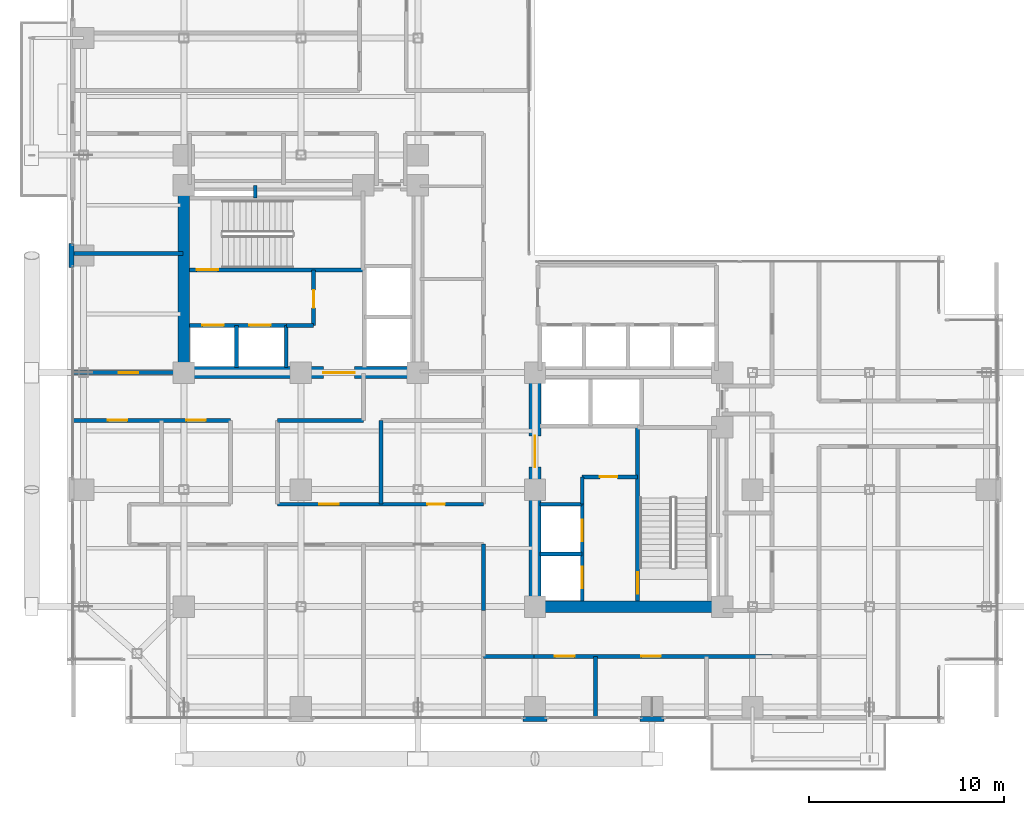
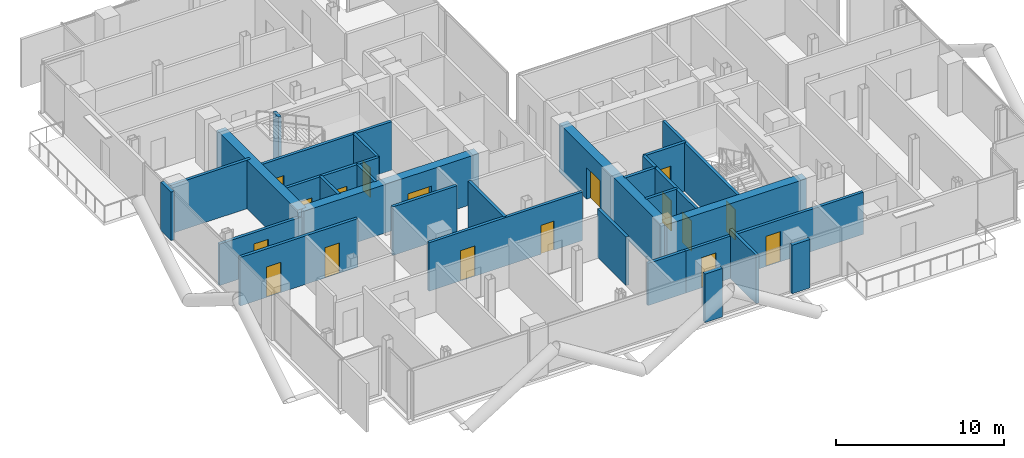
# One storey, part 22 of 28: 30 walls, 17 doors, 17 openings.
"""IFC4 building model written with IfcOpenShell, lengths in metres."""

from ifc_helpers import new_model, si_unit, direction, frame, frame_2d, origin, place, context, subcontext, project, spatial, rectangle, extrude, material, layer, layer_set, type_object, element, fill, save


model = new_model("IFC4")

# Units and contexts
model_context = context("Model", 3, precision=1e-05, world=origin(), true_north=direction((0.0, 1.0)))
body_context = subcontext(model_context, "Body", "Model", "MODEL_VIEW")
ifc_project = project(units=[si_unit("LENGTHUNIT", "METRE"), si_unit("AREAUNIT", "SQUARE_METRE"), si_unit("VOLUMEUNIT", "CUBIC_METRE"), si_unit("PLANEANGLEUNIT", "RADIAN"), si_unit("MASSUNIT", "GRAM", prefix="KILO"), si_unit("THERMODYNAMICTEMPERATUREUNIT", "KELVIN"), si_unit("POWERUNIT", "WATT")], contexts=[model_context])

# Site, building, storey
site_placement = place(None, origin())
site = spatial("IfcSite", under=ifc_project, at=site_placement, CompositionType="ELEMENT")
building_placement = place(site_placement, origin())
building = spatial("IfcBuilding", under=site, at=building_placement, Name="Svarakhadi Broadcast Tower", CompositionType="ELEMENT")
storey_placement = place(building_placement, frame((0.0, 0.0, 119.39990234375)))
storey = spatial("IfcBuildingStorey", under=building, at=storey_placement, Name="L28", CompositionType="ELEMENT", Elevation=119.39990234375)

# Wall
ifc_material_1 = material(Name="Double-Stud Acoustic Studio Partition STC-62", Category="gypsum")
ifc_layer_1 = layer(ifc_material_1, 0.199951171875)
ifc_layer_set_1 = layer_set([ifc_layer_1], Name="Double-Stud Acoustic Studio Partition STC-62")
wall_type_1 = type_object("IfcWallType", Name="Wall_Acoust_200", PredefinedType="PARTITIONING", material=ifc_layer_set_1)
wall_1_placement = place(storey_placement, frame((16.10009765625, 11.25, 0.0), z_axis=(0.0, 0.0, 1.0), x_axis=(0.0, 1.0, 0.0)))
element("IfcWall", 1, at=wall_1_placement, inside=storey, type_object=wall_type_1, Name="L28 Central Review Briefing Pod Wall", PredefinedType="PARTITIONING", context=body_context, shape_type="SweptSolid", body=[
    extrude(rectangle(XDim=4.300048828125, YDim=0.199951171875, at=frame_2d((2.14990234375, 0.0))), origin(), (0.0, 0.0, 1.0), 3.525146484375),
])

# Wall, opening, door
wall_2_placement = place(storey_placement, frame((0.300048828125, 18.0, 0.0), z_axis=(0.0, 0.0, 1.0), x_axis=(1.0, 0.0, 0.0)))
wall_2 = element("IfcWall", 2, at=wall_2_placement, inside=storey, type_object=wall_type_1, Name="L28 Arabian Sea Executive Studio Wall", PredefinedType="PARTITIONING", context=body_context, shape_type="SweptSolid", body=[
    extrude(rectangle(XDim=5.64990234375, YDim=0.199951171875, at=frame_2d((2.824951171875, 0.0))), origin(), (0.0, 0.0, 1.0), 3.01708984375),
])
opening_1_placement = place(wall_2_placement, frame((2.35009765625, 0.0, 0.0)))
opening_1 = element("IfcOpeningElement", 3, at=opening_1_placement, cuts=wall_2, Name="Opening D-08", PredefinedType="OPENING", context=body_context, shape_type="SweptSolid", body=[
    extrude(rectangle(XDim=1.0, YDim=2.199951171875, at=frame_2d((0.5, 1.10009765625))), frame((0.0, 0.10986328125, 0.0), z_axis=(0.0, -1.0, 0.0), x_axis=(1.0, 0.0, 0.0)), (0.0, 0.0, 1.0), 0.219970703125),
])
ifc_material_2 = material(Name="Solid-Core Teak Veneer Acoustic Timber Leaf", Category="wood")
door_type_1 = type_object("IfcDoorType", Name="Door_Suite_D08", OperationType="SINGLE_SWING_LEFT", PredefinedType="DOOR", material=ifc_material_2)
door_1_placement = place(opening_1_placement, origin())
door_1 = element("IfcDoor", 4, at=door_1_placement, inside=storey, type_object=door_type_1, Name="L28 Arabian Sea Executive Studio Door", OperationType="SINGLE_SWING_LEFT", OverallHeight=2.199951171875, OverallWidth=1.0, PredefinedType="DOOR", context=body_context, shape_type="SweptSolid", body=[
    extrude(rectangle(XDim=1.0, YDim=2.199951171875, at=frame_2d((0.5, 1.10009765625))), frame((0.0, 0.02490234375, 0.0), z_axis=(0.0, -1.0, 0.0), x_axis=(1.0, 0.0, 0.0)), (0.0, 0.0, 1.0), 0.050048828125),
])
fill(opening_1, door_1)

# Walls
wall_3_placement = place(storey_placement, frame((0.300048828125, 24.10009765625, 0.0), z_axis=(0.0, 0.0, 1.0), x_axis=(1.0, 0.0, 0.0)))
element("IfcWall", 5, at=wall_3_placement, inside=storey, type_object=wall_type_1, Name="L28 Arabian Sea Executive Studio Wall", PredefinedType="PARTITIONING", context=body_context, shape_type="SweptSolid", body=[
    extrude(rectangle(XDim=5.64990234375, YDim=0.199951171875, at=frame_2d((2.824951171875, 0.0))), origin(), (0.0, 0.0, 1.0), 3.525146484375),
])
wall_4_placement = place(storey_placement, frame((27.10009765625, 0.300048828125, 0.0), z_axis=(0.0, 0.0, 1.0), x_axis=(0.0, 1.0, 0.0)))
element("IfcWall", 6, at=wall_4_placement, inside=storey, type_object=wall_type_1, Name="L28 Harbour Front Production Office Wall", PredefinedType="PARTITIONING", context=body_context, shape_type="SweptSolid", body=[
    extrude(rectangle(XDim=3.14990234375, YDim=0.199951171875, at=frame_2d((1.574951171875, 0.0))), origin(), (0.0, 0.0, 1.0), 3.525146484375),
])
ifc_material_3 = material(Name="Concrete C40/50 (IS 456 M50)", Category="concrete")
ifc_layer_2 = layer(ifc_material_3, 0.239990234375)
ifc_layer_set_2 = layer_set([ifc_layer_2], Name="Concrete C40/50 (IS 456 M50)")
wall_type_2 = type_object("IfcWallType", Name="Wall_Ext_240", PredefinedType="SOLIDWALL", material=ifc_layer_set_2)
for number, where, z_axis, x_axis, name in (
    (7, (0.239990234375, 23.385009765625, 0.0), (0.0, 0.0, 1.0), (0.0, 1.0, 0.0), "L28 Perimeter Bronze Spandrel Closure Wall 02"),
    (8, (30.614990234375, 0.239990234375, 0.0), (0.0, 0.0, 1.0), (-1.0, 0.0, 0.0), "L28 Perimeter Bronze Spandrel Closure Wall 06"),
    (9, (24.614990234375, 0.239990234375, 0.0), (0.0, 0.0, 1.0), (-1.0, 0.0, 0.0), "L28 Perimeter Bronze Spandrel Closure Wall 07"),
):
    element("IfcWall", number, at=place(storey_placement, frame(where, z_axis=z_axis, x_axis=x_axis)), inside=storey, type_object=wall_type_2, Name=name, PredefinedType="SOLIDWALL", context=body_context, shape_type="SweptSolid", body=[
        extrude(rectangle(XDim=1.22998046875, YDim=0.239990234375, at=frame_2d((0.614990234375, 0.0))), origin(), (0.0, 0.0, 1.0), 3.525146484375),
    ])
ifc_layer_3 = layer(ifc_material_3, 0.199951171875)
ifc_layer_set_3 = layer_set([ifc_layer_3], Name="Concrete C40/50 (IS 456 M50)")
wall_type_3 = type_object("IfcWallType", Name="Wall_Fire_200", PredefinedType="SOLIDWALL", material=ifc_layer_set_3)
wall_5_placement = place(storey_placement, frame((9.659912109375, 26.93994140625, 0.0), z_axis=(0.0, 0.0, 1.0), x_axis=(0.0, 1.0, 0.0)))
element("IfcWall", 10, at=wall_5_placement, inside=storey, type_object=wall_type_3, Name="L28 Wet Riser Shaft East Wall", PredefinedType="SOLIDWALL", context=body_context, shape_type="SweptSolid", body=[
    extrude(rectangle(XDim=0.64013671875, YDim=0.199951171875, at=frame_2d((0.320068359375, 0.0))), origin(), (0.0, 0.0, 1.0), 3.525146484375),
])

# Wall, openings, doors
wall_6_placement = place(storey_placement, frame((36.14990234375, 3.449951171875, 0.0), z_axis=(0.0, 0.0, 1.0), x_axis=(-1.0, 0.0, 0.0)))
wall_6 = element("IfcWall", 11, at=wall_6_placement, inside=storey, type_object=wall_type_3, Name="L28 Zone 2/3 Corridor Wall", PredefinedType="SOLIDWALL", context=body_context, shape_type="SweptSolid", body=[
    extrude(rectangle(XDim=12.199951171875, YDim=0.199951171875, at=frame_2d((6.10009765625, 0.0))), origin(), (0.0, 0.0, 1.0), 3.067138671875),
])
opening_2_placement = place(wall_6_placement, frame((10.125, 0.0, 0.0)))
opening_2 = element("IfcOpeningElement", 12, at=opening_2_placement, cuts=wall_6, Name="Opening D-09", PredefinedType="OPENING", context=body_context, shape_type="SweptSolid", body=[
    extrude(rectangle(XDim=1.0, YDim=2.199951171875, at=frame_2d((0.5, 1.10009765625))), frame((0.0, 0.10986328125, 0.0), z_axis=(0.0, -1.0, 0.0), x_axis=(1.0, 0.0, 0.0)), (0.0, 0.0, 1.0), 0.219970703125),
])
opening_3_placement = place(wall_6_placement, frame((5.699951171875, 0.0, 0.0)))
opening_3 = element("IfcOpeningElement", 13, at=opening_3_placement, cuts=wall_6, Name="Opening D-08", PredefinedType="OPENING", context=body_context, shape_type="SweptSolid", body=[
    extrude(rectangle(XDim=1.0, YDim=2.199951171875, at=frame_2d((0.5, 1.10009765625))), frame((0.0, 0.10986328125, 0.0), z_axis=(0.0, -1.0, 0.0), x_axis=(1.0, 0.0, 0.0)), (0.0, 0.0, 1.0), 0.219970703125),
])
door_2_placement = place(opening_3_placement, origin())
door_2 = element("IfcDoor", 14, at=door_2_placement, inside=storey, type_object=door_type_1, Name="L28 Client Preview Briefing Room Door", OperationType="SINGLE_SWING_LEFT", OverallHeight=2.199951171875, OverallWidth=1.0, PredefinedType="DOOR", context=body_context, shape_type="SweptSolid", body=[
    extrude(rectangle(XDim=1.0, YDim=2.199951171875, at=frame_2d((0.5, 1.10009765625))), frame((0.0, 0.02490234375, 0.0), z_axis=(0.0, -1.0, 0.0), x_axis=(1.0, 0.0, 0.0)), (0.0, 0.0, 1.0), 0.050048828125),
])
fill(opening_3, door_2)
door_type_2 = type_object("IfcDoorType", Name="Door_Suite_D09", OperationType="SINGLE_SWING_RIGHT", PredefinedType="DOOR", material=ifc_material_2)
door_3_placement = place(opening_2_placement, origin())
door_3 = element("IfcDoor", 15, at=door_3_placement, inside=storey, type_object=door_type_2, Name="L28 Harbour Front Production Office Door", OperationType="SINGLE_SWING_RIGHT", OverallHeight=2.199951171875, OverallWidth=1.0, PredefinedType="DOOR", context=body_context, shape_type="SweptSolid", body=[
    extrude(rectangle(XDim=1.0, YDim=2.199951171875, at=frame_2d((0.5, 1.10009765625))), frame((0.0, 0.02490234375, 0.0), z_axis=(0.0, -1.0, 0.0), x_axis=(1.0, 0.0, 0.0)), (0.0, 0.0, 1.0), 0.050048828125),
])
fill(opening_2, door_3)

# Walls
wall_7_placement = place(storey_placement, frame((23.949951171875, 3.449951171875, 0.0), z_axis=(0.0, 0.0, 1.0), x_axis=(-1.0, 0.0, 0.0)))
element("IfcWall", 16, at=wall_7_placement, inside=storey, type_object=wall_type_3, Name="L28 Zone 2/3 Corridor Wall", PredefinedType="SOLIDWALL", context=body_context, shape_type="SweptSolid", body=[
    extrude(rectangle(XDim=2.599853515625, YDim=0.199951171875, at=frame_2d((1.2998046875, 0.0))), origin(), (0.0, 0.0, 1.0), 3.067138671875),
])
wall_8_placement = place(storey_placement, frame((21.35009765625, 5.800048828125, 0.0), z_axis=(0.0, 0.0, 1.0), x_axis=(0.0, 1.0, 0.0)))
element("IfcWall", 17, at=wall_8_placement, inside=storey, type_object=wall_type_3, Name="L28 Zone 2/3 Corridor Wall", PredefinedType="SOLIDWALL", context=body_context, shape_type="SweptSolid", body=[
    extrude(rectangle(XDim=3.39990234375, YDim=0.199951171875, at=frame_2d((1.699951171875, 0.0))), origin(), (0.0, 0.0, 1.0), 3.525146484375),
])

# Wall, openings, doors
wall_9_placement = place(storey_placement, frame((8.39990234375, 15.550048828125, 0.0), z_axis=(0.0, 0.0, 1.0), x_axis=(-1.0, 0.0, 0.0)))
wall_9 = element("IfcWall", 18, at=wall_9_placement, inside=storey, type_object=wall_type_3, Name="L28 Zone 2/3 Corridor Wall", PredefinedType="SOLIDWALL", context=body_context, shape_type="SweptSolid", body=[
    extrude(rectangle(XDim=8.099853515625, YDim=0.199951171875, at=frame_2d((4.0498046875, 0.0))), origin(), (0.0, 0.0, 1.0), 3.525146484375),
])
opening_4_placement = place(wall_9_placement, frame((5.300048828125, 0.0, 0.0)))
opening_4 = element("IfcOpeningElement", 19, at=opening_4_placement, cuts=wall_9, Name="Opening D-09", PredefinedType="OPENING", context=body_context, shape_type="SweptSolid", body=[
    extrude(rectangle(XDim=1.0, YDim=2.199951171875, at=frame_2d((0.5, 1.10009765625))), frame((0.0, 0.10986328125, 0.0), z_axis=(0.0, -1.0, 0.0), x_axis=(1.0, 0.0, 0.0)), (0.0, 0.0, 1.0), 0.219970703125),
])
opening_5_placement = place(wall_9_placement, frame((1.27490234375, 0.0, 0.0)))
opening_5 = element("IfcOpeningElement", 20, at=opening_5_placement, cuts=wall_9, Name="Opening D-08", PredefinedType="OPENING", context=body_context, shape_type="SweptSolid", body=[
    extrude(rectangle(XDim=1.0, YDim=2.199951171875, at=frame_2d((0.5, 1.10009765625))), frame((0.0, 0.10986328125, 0.0), z_axis=(0.0, -1.0, 0.0), x_axis=(1.0, 0.0, 0.0)), (0.0, 0.0, 1.0), 0.219970703125),
])
door_4_placement = place(opening_5_placement, origin())
door_4 = element("IfcDoor", 21, at=door_4_placement, inside=storey, type_object=door_type_1, Name="L28 Foley Studio Door", OperationType="SINGLE_SWING_LEFT", OverallHeight=2.199951171875, OverallWidth=1.0, PredefinedType="DOOR", context=body_context, shape_type="SweptSolid", body=[
    extrude(rectangle(XDim=1.0, YDim=2.199951171875, at=frame_2d((0.5, 1.10009765625))), frame((0.0, 0.02490234375, 0.0), z_axis=(0.0, -1.0, 0.0), x_axis=(1.0, 0.0, 0.0)), (0.0, 0.0, 1.0), 0.050048828125),
])
fill(opening_5, door_4)
door_5_placement = place(opening_4_placement, origin())
door_5 = element("IfcDoor", 22, at=door_5_placement, inside=storey, type_object=door_type_2, Name="L28 Voiceover Booth Door", OperationType="SINGLE_SWING_RIGHT", OverallHeight=2.199951171875, OverallWidth=1.0, PredefinedType="DOOR", context=body_context, shape_type="SweptSolid", body=[
    extrude(rectangle(XDim=1.0, YDim=2.199951171875, at=frame_2d((0.5, 1.10009765625))), frame((0.0, 0.02490234375, 0.0), z_axis=(0.0, -1.0, 0.0), x_axis=(1.0, 0.0, 0.0)), (0.0, 0.0, 1.0), 0.050048828125),
])
fill(opening_4, door_5)

# Wall
wall_10_placement = place(storey_placement, frame((15.199951171875, 15.550048828125, 0.0), z_axis=(0.0, 0.0, 1.0), x_axis=(-1.0, 0.0, 0.0)))
element("IfcWall", 23, at=wall_10_placement, inside=storey, type_object=wall_type_3, Name="L28 Zone 2/3 Corridor Wall", PredefinedType="SOLIDWALL", context=body_context, shape_type="SweptSolid", body=[
    extrude(rectangle(XDim=4.39990234375, YDim=0.199951171875, at=frame_2d((2.199951171875, 0.0))), origin(), (0.0, 0.0, 1.0), 3.525146484375),
])

# Wall, openings, doors
wall_11_placement = place(storey_placement, frame((10.800048828125, 11.25, 0.0), z_axis=(0.0, 0.0, 1.0), x_axis=(1.0, 0.0, 0.0)))
wall_11 = element("IfcWall", 24, at=wall_11_placement, inside=storey, type_object=wall_type_3, Name="L28 Zone 2/3 Corridor Wall", PredefinedType="SOLIDWALL", context=body_context, shape_type="SweptSolid", body=[
    extrude(rectangle(XDim=10.550048828125, YDim=0.199951171875, at=frame_2d((5.27490234375, 0.0))), origin(), (0.0, 0.0, 1.0), 3.525146484375),
])
opening_6_placement = place(wall_11_placement, frame((2.14990234375, 0.0, 0.0)))
opening_6 = element("IfcOpeningElement", 25, at=opening_6_placement, cuts=wall_11, Name="Opening D-09", PredefinedType="OPENING", context=body_context, shape_type="SweptSolid", body=[
    extrude(rectangle(XDim=1.0, YDim=2.199951171875, at=frame_2d((0.5, 1.10009765625))), frame((0.0, 0.10986328125, 0.0), z_axis=(0.0, -1.0, 0.0), x_axis=(1.0, 0.0, 0.0)), (0.0, 0.0, 1.0), 0.219970703125),
])
opening_7_placement = place(wall_11_placement, frame((7.679931640625, 0.0, 0.0)))
opening_7 = element("IfcOpeningElement", 26, at=opening_7_placement, cuts=wall_11, Name="Opening D-13", PredefinedType="OPENING", context=body_context, shape_type="SweptSolid", body=[
    extrude(rectangle(XDim=0.89990234375, YDim=2.10009765625, at=frame_2d((0.449951171875, 1.050048828125))), frame((0.0, 0.10986328125, 0.0), z_axis=(0.0, -1.0, 0.0), x_axis=(1.0, 0.0, 0.0)), (0.0, 0.0, 1.0), 0.219970703125),
])
door_type_3 = type_object("IfcDoorType", Name="Door_Closet_D13", OperationType="SINGLE_SWING_RIGHT", PredefinedType="DOOR", material=ifc_material_2)
door_6_placement = place(opening_7_placement, origin())
door_6 = element("IfcDoor", 27, at=door_6_placement, inside=storey, type_object=door_type_3, Name="L28 Accessible Floor Washroom WC Door", OperationType="SINGLE_SWING_RIGHT", OverallHeight=2.10009765625, OverallWidth=0.89990234375, PredefinedType="DOOR", context=body_context, shape_type="SweptSolid", body=[
    extrude(rectangle(XDim=0.89990234375, YDim=2.10009765625, at=frame_2d((0.449951171875, 1.050048828125))), frame((0.0, 0.02490234375, 0.0), z_axis=(0.0, -1.0, 0.0), x_axis=(1.0, 0.0, 0.0)), (0.0, 0.0, 1.0), 0.050048828125),
])
fill(opening_7, door_6)
door_7_placement = place(opening_6_placement, origin())
door_7 = element("IfcDoor", 28, at=door_7_placement, inside=storey, type_object=door_type_2, Name="L28 Central Review Briefing Pod Door", OperationType="SINGLE_SWING_RIGHT", OverallHeight=2.199951171875, OverallWidth=1.0, PredefinedType="DOOR", context=body_context, shape_type="SweptSolid", body=[
    extrude(rectangle(XDim=1.0, YDim=2.199951171875, at=frame_2d((0.5, 1.10009765625))), frame((0.0, 0.02490234375, 0.0), z_axis=(0.0, -1.0, 0.0), x_axis=(1.0, 0.0, 0.0)), (0.0, 0.0, 1.0), 0.050048828125),
])
fill(opening_6, door_7)

# Wall, opening, door
ifc_material_4 = material(Name="Concrete C50/60 (IS 456 M60)", Category="concrete")
ifc_layer_4 = layer(ifc_material_4, 0.199951171875)
ifc_layer_set_4 = layer_set([ifc_layer_4], Name="Concrete C50/60 (IS 456 M60)")
wall_type_4 = type_object("IfcWallType", Name="Wall_Shear_200", PredefinedType="SHEAR", material=ifc_layer_set_4)
wall_12_placement = place(storey_placement, frame((6.300048828125, 23.260009765625, 0.0), z_axis=(0.0, 0.0, 1.0), x_axis=(1.0, 0.0, 0.0)))
wall_12 = element("IfcWall", 29, at=wall_12_placement, inside=storey, type_object=wall_type_4, Name="L28 Stair ST-01 South RC Shaft Wall", PredefinedType="SHEAR", context=body_context, shape_type="SweptSolid", body=[
    extrude(rectangle(XDim=8.8798828125, YDim=0.199951171875, at=frame_2d((4.43994140625, 0.0))), origin(), (0.0, 0.0, 1.0), 3.525146484375),
])
opening_8_placement = place(wall_12_placement, frame((0.35009765625, 0.0, 0.0)))
opening_8 = element("IfcOpeningElement", 30, at=opening_8_placement, cuts=wall_12, Name="Opening D-01", PredefinedType="OPENING", context=body_context, shape_type="SweptSolid", body=[
    extrude(rectangle(XDim=1.10009765625, YDim=2.199951171875, at=frame_2d((0.550048828125, 1.10009765625))), frame((0.0, 0.10986328125, 0.0), z_axis=(0.0, -1.0, 0.0), x_axis=(1.0, 0.0, 0.0)), (0.0, 0.0, 1.0), 0.219970703125),
])
ifc_material_5 = material(Name="Galvanised Powder-Coated Fire-Rated Steel Leaf", Category="steel")
door_type_4 = type_object("IfcDoorType", Name="Door_Stair_D01", OperationType="SINGLE_SWING_LEFT", PredefinedType="DOOR", material=ifc_material_5)
door_8_placement = place(opening_8_placement, origin())
door_8 = element("IfcDoor", 31, at=door_8_placement, inside=storey, type_object=door_type_4, Name="L28 Protected Exit Stair ST-01 Fire Door", OperationType="SINGLE_SWING_LEFT", OverallHeight=2.199951171875, OverallWidth=1.10009765625, PredefinedType="DOOR", context=body_context, shape_type="SweptSolid", body=[
    extrude(rectangle(XDim=1.10009765625, YDim=2.199951171875, at=frame_2d((0.550048828125, 1.10009765625))), frame((0.0, 0.02490234375, 0.0), z_axis=(0.0, -1.0, 0.0), x_axis=(1.0, 0.0, 0.0)), (0.0, 0.0, 1.0), 0.050048828125),
])
fill(opening_8, door_8)

wall_13_placement = place(storey_placement, frame((29.260009765625, 6.300048828125, 0.0), z_axis=(0.0, 0.0, 1.0), x_axis=(0.0, 1.0, 0.0)))
wall_13 = element("IfcWall", 32, at=wall_13_placement, inside=storey, type_object=wall_type_4, Name="L28 Stair ST-02 West RC Shaft Wall", PredefinedType="SHEAR", context=body_context, shape_type="SweptSolid", body=[
    extrude(rectangle(XDim=8.8798828125, YDim=0.199951171875, at=frame_2d((4.43994140625, 0.0))), origin(), (0.0, 0.0, 1.0), 3.525146484375),
])
opening_9_placement = place(wall_13_placement, frame((0.35009765625, 0.0, 0.0)))
opening_9 = element("IfcOpeningElement", 33, at=opening_9_placement, cuts=wall_13, Name="Opening D-02", PredefinedType="OPENING", context=body_context, shape_type="SweptSolid", body=[
    extrude(rectangle(XDim=1.10009765625, YDim=2.199951171875, at=frame_2d((0.550048828125, 1.10009765625))), frame((0.0, 0.10986328125, 0.0), z_axis=(0.0, -1.0, 0.0), x_axis=(1.0, 0.0, 0.0)), (0.0, 0.0, 1.0), 0.219970703125),
])
door_type_5 = type_object("IfcDoorType", Name="Door_Stair_D02", OperationType="SINGLE_SWING_RIGHT", PredefinedType="DOOR", material=ifc_material_5)
door_9_placement = place(opening_9_placement, origin())
door_9 = element("IfcDoor", 34, at=door_9_placement, inside=storey, type_object=door_type_5, Name="L28 Protected Exit Stair ST-02 Fire Door", OperationType="SINGLE_SWING_RIGHT", OverallHeight=2.199951171875, OverallWidth=1.10009765625, PredefinedType="DOOR", context=body_context, shape_type="SweptSolid", body=[
    extrude(rectangle(XDim=1.10009765625, YDim=2.199951171875, at=frame_2d((0.550048828125, 1.10009765625))), frame((0.0, 0.02490234375, 0.0), z_axis=(0.0, -1.0, 0.0), x_axis=(1.0, 0.0, 0.0)), (0.0, 0.0, 1.0), 0.050048828125),
])
fill(opening_9, door_9)

# Wall, openings, doors
wall_14_placement = place(storey_placement, frame((6.300048828125, 20.419921875, 0.0), z_axis=(0.0, 0.0, 1.0), x_axis=(1.0, 0.0, 0.0)))
wall_14 = element("IfcWall", 35, at=wall_14_placement, inside=storey, type_object=wall_type_4, Name="L28 Firefighting Lift LF-01/02 Shaft Wall", PredefinedType="SHEAR", context=body_context, shape_type="SweptSolid", body=[
    extrude(rectangle(XDim=4.949951171875, YDim=0.199951171875, at=frame_2d((2.47509765625, 0.0))), origin(), (0.0, 0.0, 1.0), 3.525146484375),
])
opening_10_placement = place(wall_14_placement, frame((0.64990234375, 0.0, 0.0)))
opening_10 = element("IfcOpeningElement", 36, at=opening_10_placement, cuts=wall_14, Name="Opening LD-01", PredefinedType="OPENING", context=body_context, shape_type="SweptSolid", body=[
    extrude(rectangle(XDim=1.10009765625, YDim=2.199951171875, at=frame_2d((0.550048828125, 1.10009765625))), frame((0.0, 0.10986328125, 0.0), z_axis=(0.0, -1.0, 0.0), x_axis=(1.0, 0.0, 0.0)), (0.0, 0.0, 1.0), 0.219970703125),
])
opening_11_placement = place(wall_14_placement, frame((3.050048828125, 0.0, 0.0)))
opening_11 = element("IfcOpeningElement", 37, at=opening_11_placement, cuts=wall_14, Name="Opening LD-01", PredefinedType="OPENING", context=body_context, shape_type="SweptSolid", body=[
    extrude(rectangle(XDim=1.10009765625, YDim=2.199951171875, at=frame_2d((0.550048828125, 1.10009765625))), frame((0.0, 0.10986328125, 0.0), z_axis=(0.0, -1.0, 0.0), x_axis=(1.0, 0.0, 0.0)), (0.0, 0.0, 1.0), 0.219970703125),
])
door_type_6 = type_object("IfcDoorType", Name="Door_Lift_LD01", OperationType="SLIDING_TO_LEFT", PredefinedType="DOOR", material=ifc_material_5)
door_10_placement = place(opening_10_placement, origin())
door_10 = element("IfcDoor", 38, at=door_10_placement, inside=storey, type_object=door_type_6, Name="L28 Firefighting Lift LF-01 Landing Door", OperationType="SLIDING_TO_LEFT", OverallHeight=2.199951171875, OverallWidth=1.10009765625, PredefinedType="DOOR", context=body_context, shape_type="SweptSolid", body=[
    extrude(rectangle(XDim=1.10009765625, YDim=2.199951171875, at=frame_2d((0.550048828125, 1.10009765625))), frame((0.0, 0.02490234375, 0.0), z_axis=(0.0, -1.0, 0.0), x_axis=(1.0, 0.0, 0.0)), (0.0, 0.0, 1.0), 0.050048828125),
])
fill(opening_10, door_10)
door_11_placement = place(opening_11_placement, origin())
door_11 = element("IfcDoor", 39, at=door_11_placement, inside=storey, type_object=door_type_6, Name="L28 Firefighting Lift LF-02 Landing Door", OperationType="SLIDING_TO_LEFT", OverallHeight=2.199951171875, OverallWidth=1.10009765625, PredefinedType="DOOR", context=body_context, shape_type="SweptSolid", body=[
    extrude(rectangle(XDim=1.10009765625, YDim=2.199951171875, at=frame_2d((0.550048828125, 1.10009765625))), frame((0.0, 0.02490234375, 0.0), z_axis=(0.0, -1.0, 0.0), x_axis=(1.0, 0.0, 0.0)), (0.0, 0.0, 1.0), 0.050048828125),
])
fill(opening_11, door_11)

# Walls
for number, where, z_axis, x_axis, name in (
    (40, (8.699951171875, 18.25, 0.0), (0.0, 0.0, 1.0), (0.0, 1.0, 0.0), "L28 Firefighting Lift LF-01/02 Divider Wall"),
    (41, (11.25, 18.25, 0.0), (0.0, 0.0, 1.0), (0.0, 1.0, 0.0), "L28 Firefighting Lift LF-02 East Wall"),
):
    element("IfcWall", number, at=place(storey_placement, frame(where, z_axis=z_axis, x_axis=x_axis)), inside=storey, type_object=wall_type_4, Name=name, PredefinedType="SHEAR", context=body_context, shape_type="SweptSolid", body=[
        extrude(rectangle(XDim=2.169921875, YDim=0.199951171875, at=frame_2d((1.0849609375, 0.0))), origin(), (0.0, 0.0, 1.0), 3.525146484375),
    ])
wall_15_placement = place(storey_placement, frame((11.25, 20.419921875, 0.0), z_axis=(0.0, 0.0, 1.0), x_axis=(1.0, 0.0, 0.0)))
element("IfcWall", 42, at=wall_15_placement, inside=storey, type_object=wall_type_4, Name="L28 West Firefighting Lobby South Wall", PredefinedType="SHEAR", context=body_context, shape_type="SweptSolid", body=[
    extrude(rectangle(XDim=1.39990234375, YDim=0.199951171875, at=frame_2d((0.699951171875, 0.0))), origin(), (0.0, 0.0, 1.0), 3.525146484375),
])

# Wall, opening, door
wall_16_placement = place(storey_placement, frame((12.64990234375, 20.419921875, 0.0), z_axis=(0.0, 0.0, 1.0), x_axis=(0.0, 1.0, 0.0)))
wall_16 = element("IfcWall", 43, at=wall_16_placement, inside=storey, type_object=wall_type_4, Name="L28 West Firefighting Lobby East Wall", PredefinedType="SHEAR", context=body_context, shape_type="SweptSolid", body=[
    extrude(rectangle(XDim=2.840087890625, YDim=0.199951171875, at=frame_2d((1.419921875, 0.0))), origin(), (0.0, 0.0, 1.0), 3.525146484375),
])
opening_12_placement = place(wall_16_placement, frame((0.89990234375, 0.0, 0.0)))
opening_12 = element("IfcOpeningElement", 44, at=opening_12_placement, cuts=wall_16, Name="Opening D-03", PredefinedType="OPENING", context=body_context, shape_type="SweptSolid", body=[
    extrude(rectangle(XDim=0.89990234375, YDim=2.14990234375, at=frame_2d((0.449951171875, 1.074951171875))), frame((0.0, 0.10986328125, 0.0), z_axis=(0.0, -1.0, 0.0), x_axis=(1.0, 0.0, 0.0)), (0.0, 0.0, 1.0), 0.219970703125),
])
door_type_7 = type_object("IfcDoorType", Name="Door_Fire_D03", OperationType="SINGLE_SWING_LEFT", PredefinedType="DOOR", material=ifc_material_5)
door_12_placement = place(opening_12_placement, origin())
door_12 = element("IfcDoor", 45, at=door_12_placement, inside=storey, type_object=door_type_7, Name="L28 West Firefighting Lobby Fire Door", OperationType="SINGLE_SWING_LEFT", OverallHeight=2.14990234375, OverallWidth=0.89990234375, PredefinedType="DOOR", context=body_context, shape_type="SweptSolid", body=[
    extrude(rectangle(XDim=0.89990234375, YDim=2.14990234375, at=frame_2d((0.449951171875, 1.074951171875))), frame((0.0, 0.02490234375, 0.0), z_axis=(0.0, -1.0, 0.0), x_axis=(1.0, 0.0, 0.0)), (0.0, 0.0, 1.0), 0.050048828125),
])
fill(opening_12, door_12)

# Wall, openings, doors
wall_17_placement = place(storey_placement, frame((26.419921875, 6.300048828125, 0.0), z_axis=(0.0, 0.0, 1.0), x_axis=(0.0, 1.0, 0.0)))
wall_17 = element("IfcWall", 46, at=wall_17_placement, inside=storey, type_object=wall_type_4, Name="L28 Firefighting Lift LF-03/04 Shaft Wall", PredefinedType="SHEAR", context=body_context, shape_type="SweptSolid", body=[
    extrude(rectangle(XDim=4.949951171875, YDim=0.199951171875, at=frame_2d((2.47509765625, 0.0))), origin(), (0.0, 0.0, 1.0), 3.525146484375),
])
opening_13_placement = place(wall_17_placement, frame((0.64990234375, 0.0, 0.0)))
opening_13 = element("IfcOpeningElement", 47, at=opening_13_placement, cuts=wall_17, Name="Opening LD-01", PredefinedType="OPENING", context=body_context, shape_type="SweptSolid", body=[
    extrude(rectangle(XDim=1.10009765625, YDim=2.199951171875, at=frame_2d((0.550048828125, 1.10009765625))), frame((0.0, 0.10986328125, 0.0), z_axis=(0.0, -1.0, 0.0), x_axis=(1.0, 0.0, 0.0)), (0.0, 0.0, 1.0), 0.219970703125),
])
opening_14_placement = place(wall_17_placement, frame((3.050048828125, 0.0, 0.0)))
opening_14 = element("IfcOpeningElement", 48, at=opening_14_placement, cuts=wall_17, Name="Opening LD-01", PredefinedType="OPENING", context=body_context, shape_type="SweptSolid", body=[
    extrude(rectangle(XDim=1.10009765625, YDim=2.199951171875, at=frame_2d((0.550048828125, 1.10009765625))), frame((0.0, 0.10986328125, 0.0), z_axis=(0.0, -1.0, 0.0), x_axis=(1.0, 0.0, 0.0)), (0.0, 0.0, 1.0), 0.219970703125),
])
door_13_placement = place(opening_13_placement, origin())
door_13 = element("IfcDoor", 49, at=door_13_placement, inside=storey, type_object=door_type_6, Name="L28 Firefighting Lift LF-03 Landing Door", OperationType="SLIDING_TO_LEFT", OverallHeight=2.199951171875, OverallWidth=1.10009765625, PredefinedType="DOOR", context=body_context, shape_type="SweptSolid", body=[
    extrude(rectangle(XDim=1.10009765625, YDim=2.199951171875, at=frame_2d((0.550048828125, 1.10009765625))), frame((0.0, 0.02490234375, 0.0), z_axis=(0.0, -1.0, 0.0), x_axis=(1.0, 0.0, 0.0)), (0.0, 0.0, 1.0), 0.050048828125),
])
fill(opening_13, door_13)
door_14_placement = place(opening_14_placement, origin())
door_14 = element("IfcDoor", 50, at=door_14_placement, inside=storey, type_object=door_type_6, Name="L28 Firefighting Lift LF-04 Landing Door", OperationType="SLIDING_TO_LEFT", OverallHeight=2.199951171875, OverallWidth=1.10009765625, PredefinedType="DOOR", context=body_context, shape_type="SweptSolid", body=[
    extrude(rectangle(XDim=1.10009765625, YDim=2.199951171875, at=frame_2d((0.550048828125, 1.10009765625))), frame((0.0, 0.02490234375, 0.0), z_axis=(0.0, -1.0, 0.0), x_axis=(1.0, 0.0, 0.0)), (0.0, 0.0, 1.0), 0.050048828125),
])
fill(opening_14, door_14)

# Walls
for number, where, z_axis, x_axis, name in (
    (51, (24.25, 8.699951171875, 0.0), (0.0, 0.0, 1.0), (1.0, 0.0, 0.0), "L28 Firefighting Lift LF-03/04 Divider Wall"),
    (52, (24.25, 11.25, 0.0), (0.0, 0.0, 1.0), (1.0, 0.0, 0.0), "L28 Firefighting Lift LF-04 North Wall"),
):
    element("IfcWall", number, at=place(storey_placement, frame(where, z_axis=z_axis, x_axis=x_axis)), inside=storey, type_object=wall_type_4, Name=name, PredefinedType="SHEAR", context=body_context, shape_type="SweptSolid", body=[
        extrude(rectangle(XDim=2.169921875, YDim=0.199951171875, at=frame_2d((1.0849609375, 0.0))), origin(), (0.0, 0.0, 1.0), 3.525146484375),
    ])
wall_18_placement = place(storey_placement, frame((26.419921875, 11.25, 0.0), z_axis=(0.0, 0.0, 1.0), x_axis=(0.0, 1.0, 0.0)))
element("IfcWall", 53, at=wall_18_placement, inside=storey, type_object=wall_type_4, Name="L28 East Firefighting Lobby West Wall", PredefinedType="SHEAR", context=body_context, shape_type="SweptSolid", body=[
    extrude(rectangle(XDim=1.39990234375, YDim=0.199951171875, at=frame_2d((0.699951171875, 0.0))), origin(), (0.0, 0.0, 1.0), 3.525146484375),
])

# Wall, opening, door
wall_19_placement = place(storey_placement, frame((26.419921875, 12.64990234375, 0.0), z_axis=(0.0, 0.0, 1.0), x_axis=(1.0, 0.0, 0.0)))
wall_19 = element("IfcWall", 54, at=wall_19_placement, inside=storey, type_object=wall_type_4, Name="L28 East Firefighting Lobby North Wall", PredefinedType="SHEAR", context=body_context, shape_type="SweptSolid", body=[
    extrude(rectangle(XDim=2.840087890625, YDim=0.199951171875, at=frame_2d((1.419921875, 0.0))), origin(), (0.0, 0.0, 1.0), 3.525146484375),
])
opening_15_placement = place(wall_19_placement, frame((0.89990234375, 0.0, 0.0)))
opening_15 = element("IfcOpeningElement", 55, at=opening_15_placement, cuts=wall_19, Name="Opening D-04", PredefinedType="OPENING", context=body_context, shape_type="SweptSolid", body=[
    extrude(rectangle(XDim=0.89990234375, YDim=2.14990234375, at=frame_2d((0.449951171875, 1.074951171875))), frame((0.0, 0.10986328125, 0.0), z_axis=(0.0, -1.0, 0.0), x_axis=(1.0, 0.0, 0.0)), (0.0, 0.0, 1.0), 0.219970703125),
])
door_type_8 = type_object("IfcDoorType", Name="Door_Fire_D04", OperationType="SINGLE_SWING_RIGHT", PredefinedType="DOOR", material=ifc_material_5)
door_15_placement = place(opening_15_placement, origin())
door_15 = element("IfcDoor", 56, at=door_15_placement, inside=storey, type_object=door_type_8, Name="L28 East Firefighting Lobby Fire Door", OperationType="SINGLE_SWING_RIGHT", OverallHeight=2.14990234375, OverallWidth=0.89990234375, PredefinedType="DOOR", context=body_context, shape_type="SweptSolid", body=[
    extrude(rectangle(XDim=0.89990234375, YDim=2.14990234375, at=frame_2d((0.449951171875, 1.074951171875))), frame((0.0, 0.02490234375, 0.0), z_axis=(0.0, -1.0, 0.0), x_axis=(1.0, 0.0, 0.0)), (0.0, 0.0, 1.0), 0.050048828125),
])
fill(opening_15, door_15)

ifc_material_6 = material(Name="Concrete C60/75 (IS 456 M70)", Category="concrete")
ifc_layer_5 = layer(ifc_material_6, 0.60009765625)
ifc_layer_set_5 = layer_set([ifc_layer_5], Name="Concrete C60/75 (IS 456 M70)")
wall_type_5 = type_object("IfcWallType", Name="Wall_Shear_600", PredefinedType="SHEAR", material=ifc_layer_set_5)
wall_20_placement = place(storey_placement, frame((6.0, 18.0, 0.0), z_axis=(0.0, 0.0, 1.0), x_axis=(1.0, 0.0, 0.0)))
wall_20 = element("IfcWall", 57, at=wall_20_placement, inside=storey, type_object=wall_type_5, Name="L28 West Core South Shear Wall", PredefinedType="SHEAR", context=body_context, shape_type="SweptSolid", body=[
    extrude(rectangle(XDim=12.0, YDim=0.60009765625, at=frame_2d((6.0, 0.0))), origin(), (0.0, 0.0, 1.0), 3.525146484375),
])
opening_16_placement = place(wall_20_placement, frame((7.14990234375, 0.0, 0.0)))
opening_16 = element("IfcOpeningElement", 58, at=opening_16_placement, cuts=wall_20, Name="Opening D-05", PredefinedType="OPENING", context=body_context, shape_type="SweptSolid", body=[
    extrude(rectangle(XDim=1.60009765625, YDim=2.300048828125, at=frame_2d((0.800048828125, 1.14990234375))), frame((0.0, 0.31005859375, 0.0), z_axis=(0.0, -1.0, 0.0), x_axis=(1.0, 0.0, 0.0)), (0.0, 0.0, 1.0), 0.6201171875),
])
ifc_material_7 = material(Name="Anodised Bronze Aluminium AA 6063-T6", Category="aluminium")
door_type_9 = type_object("IfcDoorType", Name="Door_Lobby_D05", OperationType="DOUBLE_DOOR_SLIDING", PredefinedType="DOOR", material=ifc_material_7)
door_16_placement = place(opening_16_placement, origin())
door_16 = element("IfcDoor", 59, at=door_16_placement, inside=storey, type_object=door_type_9, Name="L28 West Core Passenger Lift Lobby Entrance Door", OperationType="DOUBLE_DOOR_SLIDING", OverallHeight=2.300048828125, OverallWidth=1.60009765625, PredefinedType="DOOR", context=body_context, shape_type="SweptSolid", body=[
    extrude(rectangle(XDim=1.60009765625, YDim=2.300048828125, at=frame_2d((0.800048828125, 1.14990234375))), frame((0.0, 0.02490234375, 0.0), z_axis=(0.0, -1.0, 0.0), x_axis=(1.0, 0.0, 0.0)), (0.0, 0.0, 1.0), 0.050048828125),
])
fill(opening_16, door_16)

# Walls
for number, where, z_axis, x_axis, name in (
    (60, (6.0, 18.0, 0.0), (0.0, 0.0, 1.0), (0.0, 1.0, 0.0), "L28 West Core West Shear Wall"),
    (61, (24.0, 6.0, 0.0), (0.0, 0.0, 1.0), (1.0, 0.0, 0.0), "L28 East Core South Shear Wall"),
):
    element("IfcWall", number, at=place(storey_placement, frame(where, z_axis=z_axis, x_axis=x_axis)), inside=storey, type_object=wall_type_5, Name=name, PredefinedType="SHEAR", context=body_context, shape_type="SweptSolid", body=[
        extrude(rectangle(XDim=9.60009765625, YDim=0.60009765625, at=frame_2d((4.800048828125, 0.0))), origin(), (0.0, 0.0, 1.0), 3.525146484375),
    ])

# Wall, opening, door
wall_21_placement = place(storey_placement, frame((24.0, 6.0, 0.0), z_axis=(0.0, 0.0, 1.0), x_axis=(0.0, 1.0, 0.0)))
wall_21 = element("IfcWall", 62, at=wall_21_placement, inside=storey, type_object=wall_type_5, Name="L28 East Core West Shear Wall", PredefinedType="SHEAR", context=body_context, shape_type="SweptSolid", body=[
    extrude(rectangle(XDim=12.0, YDim=0.60009765625, at=frame_2d((6.0, 0.0))), origin(), (0.0, 0.0, 1.0), 3.525146484375),
])
opening_17_placement = place(wall_21_placement, frame((7.14990234375, 0.0, 0.0)))
opening_17 = element("IfcOpeningElement", 63, at=opening_17_placement, cuts=wall_21, Name="Opening D-05", PredefinedType="OPENING", context=body_context, shape_type="SweptSolid", body=[
    extrude(rectangle(XDim=1.60009765625, YDim=2.300048828125, at=frame_2d((0.800048828125, 1.14990234375))), frame((0.0, 0.31005859375, 0.0), z_axis=(0.0, -1.0, 0.0), x_axis=(1.0, 0.0, 0.0)), (0.0, 0.0, 1.0), 0.6201171875),
])
door_17_placement = place(opening_17_placement, origin())
door_17 = element("IfcDoor", 64, at=door_17_placement, inside=storey, type_object=door_type_9, Name="L28 East Core Passenger Lift Lobby Entrance Door", OperationType="DOUBLE_DOOR_SLIDING", OverallHeight=2.300048828125, OverallWidth=1.60009765625, PredefinedType="DOOR", context=body_context, shape_type="SweptSolid", body=[
    extrude(rectangle(XDim=1.60009765625, YDim=2.300048828125, at=frame_2d((0.800048828125, 1.14990234375))), frame((0.0, 0.02490234375, 0.0), z_axis=(0.0, -1.0, 0.0), x_axis=(1.0, 0.0, 0.0)), (0.0, 0.0, 1.0), 0.050048828125),
])
fill(opening_17, door_17)

save(model, "model.ifc")
